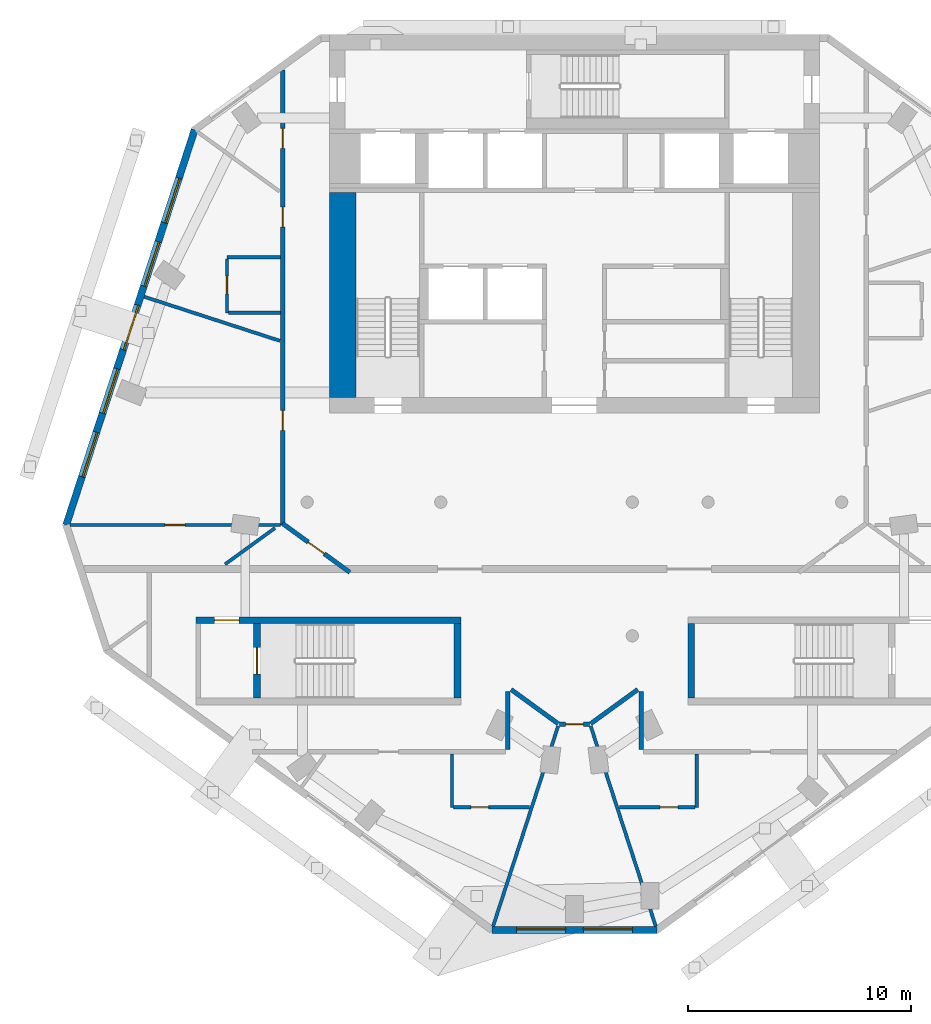
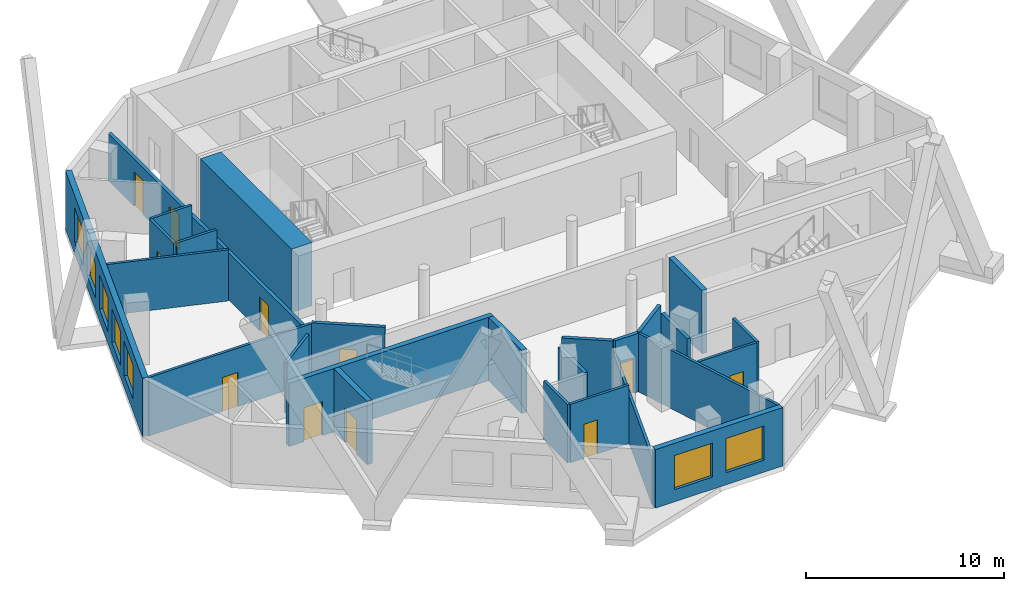
# One storey, part 3 of 8: 26 walls, 11 doors, 7 windows, 18 openings.
"""IFC4 building model written with IfcOpenShell, lengths in metres."""

from ifc_helpers import new_model, si_unit, direction, frame, frame_2d, origin, place, context, subcontext, project, spatial, rectangle, extrude, material, layer, layer_set, type_object, element, fill, save


model = new_model("IFC4")

# Units and contexts
model_context = context("Model", 3, precision=1e-05, world=origin(), true_north=direction((0.0, 1.0)))
body_context = subcontext(model_context, "Body", "Model", "MODEL_VIEW")
ifc_project = project(units=[si_unit("LENGTHUNIT", "METRE"), si_unit("AREAUNIT", "SQUARE_METRE"), si_unit("VOLUMEUNIT", "CUBIC_METRE"), si_unit("PLANEANGLEUNIT", "RADIAN"), si_unit("MASSUNIT", "GRAM", prefix="KILO")], contexts=[model_context])

# Site, building, storey
site_placement = place(None, origin())
site = spatial("IfcSite", under=ifc_project, at=site_placement, CompositionType="ELEMENT")
building_placement = place(site_placement, origin())
building = spatial("IfcBuilding", under=site, at=building_placement, Name="White Candle Pilgrim Tower", CompositionType="ELEMENT")
storey_placement = place(building_placement, frame((0.0, 0.0, 283.39990234375)))
storey = spatial("IfcBuildingStorey", under=building, at=storey_placement, Name="L67", CompositionType="ELEMENT", Elevation=283.39990234375)

# Wall, opening, door
ifc_material_1 = material(Name="Gypsum board on steel studs", Category="steel")
ifc_layer_1 = layer(ifc_material_1, 0.199951171875)
ifc_layer_set_1 = layer_set([ifc_layer_1], Name="Corridor wall 200 mm EI 45")
wall_type_1 = type_object("IfcWallType", Name="Corridor wall 200 mm EI 45", PredefinedType="PARTITIONING", material=ifc_layer_set_1)
wall_1_placement = place(storey_placement, frame((59.91552734375, 63.85009765625, 0.0), z_axis=(0.0, 0.0, 1.0), x_axis=(-0.809024883744, 0.587774393355, 0.0)))
wall_1 = element("IfcWall", 1, at=wall_1_placement, inside=storey, type_object=wall_type_1, Name="WL-L67-P003", PredefinedType="PARTITIONING", context=body_context, shape_type="SweptSolid", body=[
    extrude(rectangle(XDim=3.7275390625, YDim=0.199951171875, at=frame_2d((1.86376953125, 0.0))), origin(), (0.0, 0.0, 1.0), 3.60009765625),
])
opening_1_placement = place(wall_1_placement, frame((1.413818359375, 0.0, 0.0)))
opening_1 = element("IfcOpeningElement", 2, at=opening_1_placement, cuts=wall_1, Name="Opening T21-118", PredefinedType="OPENING", context=body_context, shape_type="SweptSolid", body=[
    extrude(rectangle(XDim=0.89990234375, YDim=2.10009765625, at=frame_2d((0.449951171875, 1.050048828125))), frame((0.0, 0.10986328125, 0.0), z_axis=(0.0, -1.0, 0.0), x_axis=(1.0, 0.0, 0.0)), (0.0, 0.0, 1.0), 0.219970703125),
])
ifc_material_2 = material(Name="Steel door leaf", Category="steel")
door_type_1 = type_object("IfcDoorType", Name="Fire door 900 x 2100 EI 30", OperationType="NOTDEFINED", PredefinedType="DOOR", material=ifc_material_2)
door_1_placement = place(opening_1_placement, origin())
door_1 = element("IfcDoor", 3, at=door_1_placement, inside=storey, type_object=door_type_1, Name="Door T21-118", OperationType="SINGLE_SWING_RIGHT", OverallHeight=2.10009765625, OverallWidth=0.89990234375, PredefinedType="DOOR", context=body_context, shape_type="SweptSolid", body=[
    extrude(rectangle(XDim=0.89990234375, YDim=2.10009765625, at=frame_2d((0.449951171875, 1.050048828125))), frame((0.0, 0.02490234375, 0.0), z_axis=(0.0, -1.0, 0.0), x_axis=(1.0, 0.0, 0.0)), (0.0, 0.0, 1.0), 0.050048828125),
])
fill(opening_1, door_1)

# Wall, openings, doors
wall_2_placement = place(storey_placement, frame((56.89990234375, 65.97998046875, 0.0), z_axis=(0.0, 0.0, 1.0), x_axis=(0.0, 1.0, 0.0)))
wall_2 = element("IfcWall", 4, at=wall_2_placement, inside=storey, type_object=wall_type_1, Name="WL-L67-P004", PredefinedType="PARTITIONING", context=body_context, shape_type="SweptSolid", body=[
    extrude(rectangle(XDim=20.416259765625, YDim=0.199951171875, at=frame_2d((10.2080078125, 0.0))), origin(), (0.0, 0.0, 1.0), 2.900146484375),
])
opening_2_placement = place(wall_2_placement, frame((4.241455078125, 0.0, 0.0)))
opening_2 = element("IfcOpeningElement", 5, at=opening_2_placement, cuts=wall_2, Name="Opening T21-110", PredefinedType="OPENING", context=body_context, shape_type="SweptSolid", body=[
    extrude(rectangle(XDim=0.89990234375, YDim=2.10009765625, at=frame_2d((0.449951171875, 1.050048828125))), frame((0.0, 0.10986328125, 0.0), z_axis=(0.0, -1.0, 0.0), x_axis=(1.0, 0.0, 0.0)), (0.0, 0.0, 1.0), 0.219970703125),
])
opening_3_placement = place(wall_2_placement, frame((13.373779296875, 0.0, 0.0)))
opening_3 = element("IfcOpeningElement", 6, at=opening_3_placement, cuts=wall_2, Name="Opening T21-111", PredefinedType="OPENING", context=body_context, shape_type="SweptSolid", body=[
    extrude(rectangle(XDim=0.89990234375, YDim=2.10009765625, at=frame_2d((0.449951171875, 1.050048828125))), frame((0.0, 0.10986328125, 0.0), z_axis=(0.0, -1.0, 0.0), x_axis=(1.0, 0.0, 0.0)), (0.0, 0.0, 1.0), 0.219970703125),
])
opening_4_placement = place(wall_2_placement, frame((16.90380859375, 0.0, 0.0)))
opening_4 = element("IfcOpeningElement", 7, at=opening_4_placement, cuts=wall_2, Name="Opening T21-112", PredefinedType="OPENING", context=body_context, shape_type="SweptSolid", body=[
    extrude(rectangle(XDim=0.89990234375, YDim=2.10009765625, at=frame_2d((0.449951171875, 1.050048828125))), frame((0.0, 0.10986328125, 0.0), z_axis=(0.0, -1.0, 0.0), x_axis=(1.0, 0.0, 0.0)), (0.0, 0.0, 1.0), 0.219970703125),
])
door_2_placement = place(opening_2_placement, origin())
door_2 = element("IfcDoor", 8, at=door_2_placement, inside=storey, type_object=door_type_1, Name="Door T21-110", OperationType="SINGLE_SWING_RIGHT", OverallHeight=2.10009765625, OverallWidth=0.89990234375, PredefinedType="DOOR", context=body_context, shape_type="SweptSolid", body=[
    extrude(rectangle(XDim=0.89990234375, YDim=2.10009765625, at=frame_2d((0.449951171875, 1.050048828125))), frame((0.0, 0.02490234375, 0.0), z_axis=(0.0, -1.0, 0.0), x_axis=(1.0, 0.0, 0.0)), (0.0, 0.0, 1.0), 0.050048828125),
])
fill(opening_2, door_2)
door_3_placement = place(opening_3_placement, origin())
door_3 = element("IfcDoor", 9, at=door_3_placement, inside=storey, type_object=door_type_1, Name="Door T21-111", OperationType="SINGLE_SWING_LEFT", OverallHeight=2.10009765625, OverallWidth=0.89990234375, PredefinedType="DOOR", context=body_context, shape_type="SweptSolid", body=[
    extrude(rectangle(XDim=0.89990234375, YDim=2.10009765625, at=frame_2d((0.449951171875, 1.050048828125))), frame((0.0, 0.02490234375, 0.0), z_axis=(0.0, -1.0, 0.0), x_axis=(1.0, 0.0, 0.0)), (0.0, 0.0, 1.0), 0.050048828125),
])
fill(opening_3, door_3)
door_4_placement = place(opening_4_placement, origin())
door_4 = element("IfcDoor", 10, at=door_4_placement, inside=storey, type_object=door_type_1, Name="Door T21-112", OperationType="SINGLE_SWING_RIGHT", OverallHeight=2.10009765625, OverallWidth=0.89990234375, PredefinedType="DOOR", context=body_context, shape_type="SweptSolid", body=[
    extrude(rectangle(XDim=0.89990234375, YDim=2.10009765625, at=frame_2d((0.449951171875, 1.050048828125))), frame((0.0, 0.02490234375, 0.0), z_axis=(0.0, -1.0, 0.0), x_axis=(1.0, 0.0, 0.0)), (0.0, 0.0, 1.0), 0.050048828125),
])
fill(opening_4, door_4)

# Walls
wall_3_placement = place(storey_placement, frame((73.0, 55.89990234375, 0.0), z_axis=(0.0, 0.0, 1.0), x_axis=(0.0, 1.0, 0.0)))
element("IfcWall", 11, at=wall_3_placement, inside=storey, type_object=wall_type_1, Name="WL-L67-P009", PredefinedType="PARTITIONING", context=body_context, shape_type="SweptSolid", body=[
    extrude(rectangle(XDim=2.606689453125, YDim=0.199951171875, at=frame_2d((1.30322265625, 0.0))), origin(), (0.0, 0.0, 1.0), 3.10009765625),
])
wall_4_placement = place(storey_placement, frame((72.84130859375, 58.58740234375, 0.0), z_axis=(0.0, 0.0, 1.0), x_axis=(-0.809063502696, -0.587721233754, 0.0)))
element("IfcWall", 12, at=wall_4_placement, inside=storey, type_object=wall_type_1, Name="WL-L67-P010", PredefinedType="PARTITIONING", context=body_context, shape_type="SweptSolid", body=[
    extrude(rectangle(XDim=2.61083984375, YDim=0.199951171875, at=frame_2d((1.305419921875, 0.0))), origin(), (0.0, 0.0, 1.0), 3.60009765625),
])

# Wall, opening, door
wall_5_placement = place(storey_placement, frame((70.67041015625, 57.033935546875, 0.0), z_axis=(0.0, 0.0, 1.0), x_axis=(-1.0, 0.0, 0.0)))
wall_5 = element("IfcWall", 13, at=wall_5_placement, inside=storey, type_object=wall_type_1, Name="WL-L67-P011", PredefinedType="PARTITIONING", context=body_context, shape_type="SweptSolid", body=[
    extrude(rectangle(XDim=1.3408203125, YDim=0.199951171875, at=frame_2d((0.67041015625, 0.0))), origin(), (0.0, 0.0, 1.0), 3.60009765625),
])
opening_5_placement = place(wall_5_placement, frame((0.270263671875, 0.0, 0.0)))
opening_5 = element("IfcOpeningElement", 14, at=opening_5_placement, cuts=wall_5, Name="Opening T21-104", PredefinedType="OPENING", context=body_context, shape_type="SweptSolid", body=[
    extrude(rectangle(XDim=0.800048828125, YDim=2.10009765625, at=frame_2d((0.39990234375, 1.050048828125))), frame((0.0, 0.10986328125, 0.0), z_axis=(0.0, -1.0, 0.0), x_axis=(1.0, 0.0, 0.0)), (0.0, 0.0, 1.0), 0.219970703125),
])
door_type_2 = type_object("IfcDoorType", Name="Fire door 800 x 2100 EI 30", OperationType="NOTDEFINED", PredefinedType="DOOR", material=ifc_material_2)
door_5_placement = place(opening_5_placement, origin())
door_5 = element("IfcDoor", 15, at=door_5_placement, inside=storey, type_object=door_type_2, Name="Door T21-104", OperationType="SINGLE_SWING_RIGHT", OverallHeight=2.10009765625, OverallWidth=0.800048828125, PredefinedType="DOOR", context=body_context, shape_type="SweptSolid", body=[
    extrude(rectangle(XDim=0.800048828125, YDim=2.10009765625, at=frame_2d((0.39990234375, 1.050048828125))), frame((0.0, 0.02490234375, 0.0), z_axis=(0.0, -1.0, 0.0), x_axis=(1.0, 0.0, 0.0)), (0.0, 0.0, 1.0), 0.050048828125),
])
fill(opening_5, door_5)

# Walls
wall_6_placement = place(storey_placement, frame((69.27099609375, 57.052978515625, 0.0), z_axis=(0.0, 0.0, 1.0), x_axis=(-0.809063502696, 0.587721233754, 0.0)))
element("IfcWall", 16, at=wall_6_placement, inside=storey, type_object=wall_type_1, Name="WL-L67-P012", PredefinedType="PARTITIONING", context=body_context, shape_type="SweptSolid", body=[
    extrude(rectangle(XDim=2.61083984375, YDim=0.199951171875, at=frame_2d((1.305419921875, 0.0))), origin(), (0.0, 0.0, 1.0), 3.60009765625),
])
wall_7_placement = place(storey_placement, frame((67.0, 58.506591796875, 0.0), z_axis=(0.0, 0.0, 1.0), x_axis=(0.0, -1.0, 0.0)))
element("IfcWall", 17, at=wall_7_placement, inside=storey, type_object=wall_type_1, Name="WL-L67-P013", PredefinedType="PARTITIONING", context=body_context, shape_type="SweptSolid", body=[
    extrude(rectangle(XDim=2.606689453125, YDim=0.199951171875, at=frame_2d((1.30322265625, 0.0))), origin(), (0.0, 0.0, 1.0), 3.10009765625),
])

# Wall, openings, windows
ifc_material_3 = material(Name="Precast concrete C40/50", Category="concrete")
ifc_layer_2 = layer(ifc_material_3, 0.320068359375)
ifc_layer_set_2 = layer_set([ifc_layer_2], Name="Facade wall EW1 precast concrete C40/50 pier wall with timber-lined reveals")
wall_type_2 = type_object("IfcWallType", Name="Facade wall EW1 precast concrete C40/50 pier wall with timber-lined reveals", PredefinedType="SOLIDWALL", material=ifc_layer_set_2)
wall_8_placement = place(storey_placement, frame((66.294921875, 47.7939453125, 0.0), z_axis=(0.0, 0.0, 1.0), x_axis=(1.0, 0.0, 0.0)))
wall_8 = element("IfcWall", 18, at=wall_8_placement, inside=storey, type_object=wall_type_2, Name="Facade wall L67 S chamfer", PredefinedType="SOLIDWALL", context=body_context, shape_type="SweptSolid", body=[
    extrude(rectangle(XDim=7.41015625, YDim=0.320068359375, at=frame_2d((3.705078125, 0.0))), origin(), (0.0, 0.0, 1.0), 3.60009765625),
])
opening_6_placement = place(wall_8_placement, frame((1.10498046875, 0.0, 0.75)))
opening_6 = element("IfcOpeningElement", 19, at=opening_6_placement, cuts=wall_8, Name="Opening W4", PredefinedType="OPENING", context=body_context, shape_type="SweptSolid", body=[
    extrude(rectangle(XDim=2.199951171875, YDim=2.10009765625, at=frame_2d((1.10009765625, 1.050048828125))), frame((0.0, 0.169921875, 0.0), z_axis=(0.0, -1.0, 0.0), x_axis=(1.0, 0.0, 0.0)), (0.0, 0.0, 1.0), 0.340087890625),
])
opening_7_placement = place(wall_8_placement, frame((4.10498046875, 0.0, 0.75)))
opening_7 = element("IfcOpeningElement", 20, at=opening_7_placement, cuts=wall_8, Name="Opening W4", PredefinedType="OPENING", context=body_context, shape_type="SweptSolid", body=[
    extrude(rectangle(XDim=2.199951171875, YDim=2.10009765625, at=frame_2d((1.10009765625, 1.050048828125))), frame((0.0, 0.169921875, 0.0), z_axis=(0.0, -1.0, 0.0), x_axis=(1.0, 0.0, 0.0)), (0.0, 0.0, 1.0), 0.340087890625),
])
ifc_material_4 = material(Name="Timber frame with triple glazing", Category="wood")
window_type_1 = type_object("IfcWindowType", Name="Window W4 2200x2100 timber frame triple glazing", PartitioningType="SINGLE_PANEL", PredefinedType="WINDOW", material=ifc_material_4)
window_1_placement = place(opening_6_placement, origin())
window_1 = element("IfcWindow", 21, at=window_1_placement, inside=storey, type_object=window_type_1, Name="Window W4 L67 S chamfer 1", OverallHeight=2.10009765625, OverallWidth=2.199951171875, PartitioningType="SINGLE_PANEL", PredefinedType="WINDOW", context=body_context, shape_type="SweptSolid", body=[
    extrude(rectangle(XDim=2.199951171875, YDim=2.10009765625, at=frame_2d((1.10009765625, 1.050048828125))), frame((0.0, 0.070068359375, 0.0), z_axis=(0.0, -1.0, 0.0), x_axis=(1.0, 0.0, 0.0)), (0.0, 0.0, 1.0), 0.06005859375),
])
fill(opening_6, window_1)
window_2_placement = place(opening_7_placement, origin())
window_2 = element("IfcWindow", 22, at=window_2_placement, inside=storey, type_object=window_type_1, Name="Window W4 L67 S chamfer 2", OverallHeight=2.10009765625, OverallWidth=2.199951171875, PartitioningType="SINGLE_PANEL", PredefinedType="WINDOW", context=body_context, shape_type="SweptSolid", body=[
    extrude(rectangle(XDim=2.199951171875, YDim=2.10009765625, at=frame_2d((1.10009765625, 1.050048828125))), frame((0.0, 0.070068359375, 0.0), z_axis=(0.0, -1.0, 0.0), x_axis=(1.0, 0.0, 0.0)), (0.0, 0.0, 1.0), 0.06005859375),
])
fill(opening_7, window_2)

wall_9_placement = place(storey_placement, frame((52.94677734375, 83.7216796875, 0.0), z_axis=(0.0, 0.0, 1.0), x_axis=(-0.3090200992, -0.951055507471, 0.0)))
wall_9 = element("IfcWall", 23, at=wall_9_placement, inside=storey, type_object=wall_type_2, Name="Facade wall L67 WNW", PredefinedType="SOLIDWALL", context=body_context, shape_type="SweptSolid", body=[
    extrude(rectangle(XDim=18.66015625, YDim=0.320068359375, at=frame_2d((9.330078125, 0.0))), origin(), (0.0, 0.0, 1.0), 3.60009765625),
])
opening_8_placement = place(wall_9_placement, frame((2.280029296875, 0.0, 0.75)))
opening_8 = element("IfcOpeningElement", 24, at=opening_8_placement, cuts=wall_9, Name="Opening W3", PredefinedType="OPENING", context=body_context, shape_type="SweptSolid", body=[
    extrude(rectangle(XDim=2.10009765625, YDim=2.10009765625, at=frame_2d((1.050048828125, 1.050048828125))), frame((0.0, 0.169921875, 0.0), z_axis=(0.0, -1.0, 0.0), x_axis=(1.0, 0.0, 0.0)), (0.0, 0.0, 1.0), 0.340087890625),
])
opening_9_placement = place(wall_9_placement, frame((5.280029296875, 0.0, 0.75)))
opening_9 = element("IfcOpeningElement", 25, at=opening_9_placement, cuts=wall_9, Name="Opening W3", PredefinedType="OPENING", context=body_context, shape_type="SweptSolid", body=[
    extrude(rectangle(XDim=2.10009765625, YDim=2.10009765625, at=frame_2d((1.050048828125, 1.050048828125))), frame((0.0, 0.169921875, 0.0), z_axis=(0.0, -1.0, 0.0), x_axis=(1.0, 0.0, 0.0)), (0.0, 0.0, 1.0), 0.340087890625),
])
opening_10_placement = place(wall_9_placement, frame((8.280029296875, 0.0, 0.75)))
opening_10 = element("IfcOpeningElement", 26, at=opening_10_placement, cuts=wall_9, Name="Opening W3", PredefinedType="OPENING", context=body_context, shape_type="SweptSolid", body=[
    extrude(rectangle(XDim=2.10009765625, YDim=2.10009765625, at=frame_2d((1.050048828125, 1.050048828125))), frame((0.0, 0.169921875, 0.0), z_axis=(0.0, -1.0, 0.0), x_axis=(1.0, 0.0, 0.0)), (0.0, 0.0, 1.0), 0.340087890625),
])
opening_11_placement = place(wall_9_placement, frame((11.280029296875, 0.0, 0.75)))
opening_11 = element("IfcOpeningElement", 27, at=opening_11_placement, cuts=wall_9, Name="Opening W3", PredefinedType="OPENING", context=body_context, shape_type="SweptSolid", body=[
    extrude(rectangle(XDim=2.10009765625, YDim=2.10009765625, at=frame_2d((1.050048828125, 1.050048828125))), frame((0.0, 0.169921875, 0.0), z_axis=(0.0, -1.0, 0.0), x_axis=(1.0, 0.0, 0.0)), (0.0, 0.0, 1.0), 0.340087890625),
])
opening_12_placement = place(wall_9_placement, frame((14.280029296875, 0.0, 0.75)))
opening_12 = element("IfcOpeningElement", 28, at=opening_12_placement, cuts=wall_9, Name="Opening W3", PredefinedType="OPENING", context=body_context, shape_type="SweptSolid", body=[
    extrude(rectangle(XDim=2.10009765625, YDim=2.10009765625, at=frame_2d((1.050048828125, 1.050048828125))), frame((0.0, 0.169921875, 0.0), z_axis=(0.0, -1.0, 0.0), x_axis=(1.0, 0.0, 0.0)), (0.0, 0.0, 1.0), 0.340087890625),
])
window_type_2 = type_object("IfcWindowType", Name="Window W3 2100x2100 timber frame triple glazing", PartitioningType="SINGLE_PANEL", PredefinedType="WINDOW", material=ifc_material_4)
window_3_placement = place(opening_8_placement, origin())
window_3 = element("IfcWindow", 29, at=window_3_placement, inside=storey, type_object=window_type_2, Name="Window W3 L67 WNW 1", OverallHeight=2.10009765625, OverallWidth=2.10009765625, PartitioningType="SINGLE_PANEL", PredefinedType="WINDOW", context=body_context, shape_type="SweptSolid", body=[
    extrude(rectangle(XDim=2.10009765625, YDim=2.10009765625, at=frame_2d((1.050048828125, 1.050048828125))), frame((0.0, 0.070068359375, 0.0), z_axis=(0.0, -1.0, 0.0), x_axis=(1.0, 0.0, 0.0)), (0.0, 0.0, 1.0), 0.06005859375),
])
fill(opening_8, window_3)
window_4_placement = place(opening_9_placement, origin())
window_4 = element("IfcWindow", 30, at=window_4_placement, inside=storey, type_object=window_type_2, Name="Window W3 L67 WNW 2", OverallHeight=2.10009765625, OverallWidth=2.10009765625, PartitioningType="SINGLE_PANEL", PredefinedType="WINDOW", context=body_context, shape_type="SweptSolid", body=[
    extrude(rectangle(XDim=2.10009765625, YDim=2.10009765625, at=frame_2d((1.050048828125, 1.050048828125))), frame((0.0, 0.070068359375, 0.0), z_axis=(0.0, -1.0, 0.0), x_axis=(1.0, 0.0, 0.0)), (0.0, 0.0, 1.0), 0.06005859375),
])
fill(opening_9, window_4)
window_5_placement = place(opening_10_placement, origin())
window_5 = element("IfcWindow", 31, at=window_5_placement, inside=storey, type_object=window_type_2, Name="Window W3 L67 WNW 3", OverallHeight=2.10009765625, OverallWidth=2.10009765625, PartitioningType="SINGLE_PANEL", PredefinedType="WINDOW", context=body_context, shape_type="SweptSolid", body=[
    extrude(rectangle(XDim=2.10009765625, YDim=2.10009765625, at=frame_2d((1.050048828125, 1.050048828125))), frame((0.0, 0.070068359375, 0.0), z_axis=(0.0, -1.0, 0.0), x_axis=(1.0, 0.0, 0.0)), (0.0, 0.0, 1.0), 0.06005859375),
])
fill(opening_10, window_5)
window_6_placement = place(opening_11_placement, origin())
window_6 = element("IfcWindow", 32, at=window_6_placement, inside=storey, type_object=window_type_2, Name="Window W3 L67 WNW 4", OverallHeight=2.10009765625, OverallWidth=2.10009765625, PartitioningType="SINGLE_PANEL", PredefinedType="WINDOW", context=body_context, shape_type="SweptSolid", body=[
    extrude(rectangle(XDim=2.10009765625, YDim=2.10009765625, at=frame_2d((1.050048828125, 1.050048828125))), frame((0.0, 0.070068359375, 0.0), z_axis=(0.0, -1.0, 0.0), x_axis=(1.0, 0.0, 0.0)), (0.0, 0.0, 1.0), 0.06005859375),
])
fill(opening_11, window_6)
window_7_placement = place(opening_12_placement, origin())
window_7 = element("IfcWindow", 33, at=window_7_placement, inside=storey, type_object=window_type_2, Name="Window W3 L67 WNW 5", OverallHeight=2.10009765625, OverallWidth=2.10009765625, PartitioningType="SINGLE_PANEL", PredefinedType="WINDOW", context=body_context, shape_type="SweptSolid", body=[
    extrude(rectangle(XDim=2.10009765625, YDim=2.10009765625, at=frame_2d((1.050048828125, 1.050048828125))), frame((0.0, 0.070068359375, 0.0), z_axis=(0.0, -1.0, 0.0), x_axis=(1.0, 0.0, 0.0)), (0.0, 0.0, 1.0), 0.06005859375),
])
fill(opening_12, window_7)

# Wall, opening, door
ifc_layer_3 = layer(ifc_material_1, 0.14990234375)
ifc_layer_set_3 = layer_set([ifc_layer_3], Name="Partition 150 mm EI 60")
wall_type_3 = type_object("IfcWallType", Name="Partition 150 mm EI 60", PredefinedType="PARTITIONING", material=ifc_layer_set_3)
wall_10_placement = place(storey_placement, frame((47.3486328125, 65.974853515625, 0.0), z_axis=(0.0, 0.0, 1.0), x_axis=(1.0, 0.0, 0.0)))
wall_10 = element("IfcWall", 34, at=wall_10_placement, inside=storey, type_object=wall_type_3, Name="WL-L67-P016", PredefinedType="PARTITIONING", context=body_context, shape_type="SweptSolid", body=[
    extrude(rectangle(XDim=9.451416015625, YDim=0.14990234375, at=frame_2d((4.7255859375, 0.0))), origin(), (0.0, 0.0, 1.0), 3.60009765625),
])
opening_13_placement = place(wall_10_placement, frame((4.267822265625, 0.0, 0.0)))
opening_13 = element("IfcOpeningElement", 35, at=opening_13_placement, cuts=wall_10, Name="Opening T21-120", PredefinedType="OPENING", context=body_context, shape_type="SweptSolid", body=[
    extrude(rectangle(XDim=0.89990234375, YDim=2.10009765625, at=frame_2d((0.449951171875, 1.050048828125))), frame((0.0, 0.0849609375, 0.0), z_axis=(0.0, -1.0, 0.0), x_axis=(1.0, 0.0, 0.0)), (0.0, 0.0, 1.0), 0.169921875),
])
door_6_placement = place(opening_13_placement, frame((0.89990234375, 0.0, 0.0), z_axis=(0.0, 0.0, 1.0), x_axis=(-1.0, 0.0, 0.0)))
door_6 = element("IfcDoor", 36, at=door_6_placement, inside=storey, type_object=door_type_1, Name="Door T21-120", OperationType="SINGLE_SWING_LEFT", OverallHeight=2.10009765625, OverallWidth=0.89990234375, PredefinedType="DOOR", context=body_context, shape_type="SweptSolid", body=[
    extrude(rectangle(XDim=0.89990234375, YDim=2.10009765625, at=frame_2d((0.449951171875, 1.050048828125))), frame((0.0, 0.02490234375, 0.0), z_axis=(0.0, -1.0, 0.0), x_axis=(1.0, 0.0, 0.0)), (0.0, 0.0, 1.0), 0.050048828125),
])
fill(opening_13, door_6)

# Walls
wall_11_placement = place(storey_placement, frame((54.313720703125, 64.210693359375, 0.0), z_axis=(0.0, 0.0, 1.0), x_axis=(0.809002762913, 0.58780483972, 0.0)))
element("IfcWall", 37, at=wall_11_placement, inside=storey, type_object=wall_type_3, Name="WL-L67-P018", PredefinedType="PARTITIONING", context=body_context, shape_type="SweptSolid", body=[
    extrude(rectangle(XDim=2.770263671875, YDim=0.14990234375, at=frame_2d((1.38525390625, 0.0))), origin(), (0.0, 0.0, 1.0), 3.10009765625),
])
wall_12_placement = place(storey_placement, frame((66.346923828125, 47.953857421875, 0.0), z_axis=(0.0, 0.0, 1.0), x_axis=(0.309027729723, 0.951053028102, 0.0)))
element("IfcWall", 38, at=wall_12_placement, inside=storey, type_object=wall_type_3, Name="WL-L67-P019", PredefinedType="PARTITIONING", context=body_context, shape_type="SweptSolid", body=[
    extrude(rectangle(XDim=9.462158203125, YDim=0.14990234375, at=frame_2d((4.73095703125, 0.0))), origin(), (0.0, 0.0, 1.0), 2.900146484375),
])
wall_13_placement = place(storey_placement, frame((73.653076171875, 47.953857421875, 0.0), z_axis=(0.0, 0.0, 1.0), x_axis=(-0.309027729723, 0.951053028102, 0.0)))
element("IfcWall", 39, at=wall_13_placement, inside=storey, type_object=wall_type_3, Name="WL-L67-P020", PredefinedType="PARTITIONING", context=body_context, shape_type="SweptSolid", body=[
    extrude(rectangle(XDim=9.462158203125, YDim=0.14990234375, at=frame_2d((4.73095703125, 0.0))), origin(), (0.0, 0.0, 1.0), 3.60009765625),
])
wall_14_placement = place(storey_placement, frame((50.67919921875, 76.225341796875, 0.0), z_axis=(0.0, 0.0, 1.0), x_axis=(0.951058691075, -0.309010301012, 0.0)))
element("IfcWall", 40, at=wall_14_placement, inside=storey, type_object=wall_type_3, Name="WL-L67-P025", PredefinedType="PARTITIONING", context=body_context, shape_type="SweptSolid", body=[
    extrude(rectangle(XDim=6.411376953125, YDim=0.14990234375, at=frame_2d((3.20556640625, 0.0))), origin(), (0.0, 0.0, 1.0), 3.150146484375),
])
wall_15_placement = place(storey_placement, frame((56.800048828125, 78.004150390625, 0.0), z_axis=(0.0, 0.0, 1.0), x_axis=(-1.0, 0.0, 0.0)))
element("IfcWall", 41, at=wall_15_placement, inside=storey, type_object=wall_type_3, Name="WL-L67-P026", PredefinedType="PARTITIONING", context=body_context, shape_type="SweptSolid", body=[
    extrude(rectangle(XDim=2.400146484375, YDim=0.14990234375, at=frame_2d((1.2001953125, 0.0))), origin(), (0.0, 0.0, 1.0), 3.60009765625),
])

# Wall, opening, door
wall_16_placement = place(storey_placement, frame((54.39990234375, 75.504150390625, 0.0), z_axis=(0.0, 0.0, 1.0), x_axis=(0.0, 1.0, 0.0)))
wall_16 = element("IfcWall", 42, at=wall_16_placement, inside=storey, type_object=wall_type_3, Name="WL-L67-P027", PredefinedType="PARTITIONING", context=body_context, shape_type="SweptSolid", body=[
    extrude(rectangle(XDim=2.425048828125, YDim=0.14990234375, at=frame_2d((1.21240234375, 0.0))), origin(), (0.0, 0.0, 1.0), 3.60009765625),
])
opening_14_placement = place(wall_16_placement, frame((0.85009765625, 0.0, 0.0)))
opening_14 = element("IfcOpeningElement", 43, at=opening_14_placement, cuts=wall_16, Name="Opening T21-101", PredefinedType="OPENING", context=body_context, shape_type="SweptSolid", body=[
    extrude(rectangle(XDim=0.800048828125, YDim=2.10009765625, at=frame_2d((0.39990234375, 1.050048828125))), frame((0.0, 0.0849609375, 0.0), z_axis=(0.0, -1.0, 0.0), x_axis=(1.0, 0.0, 0.0)), (0.0, 0.0, 1.0), 0.169921875),
])
door_7_placement = place(opening_14_placement, origin())
door_7 = element("IfcDoor", 44, at=door_7_placement, inside=storey, type_object=door_type_2, Name="Door T21-101", OperationType="SINGLE_SWING_LEFT", OverallHeight=2.10009765625, OverallWidth=0.800048828125, PredefinedType="DOOR", context=body_context, shape_type="SweptSolid", body=[
    extrude(rectangle(XDim=0.800048828125, YDim=2.10009765625, at=frame_2d((0.39990234375, 1.050048828125))), frame((0.0, 0.02490234375, 0.0), z_axis=(0.0, -1.0, 0.0), x_axis=(1.0, 0.0, 0.0)), (0.0, 0.0, 1.0), 0.050048828125),
])
fill(opening_14, door_7)

# Walls
wall_17_placement = place(storey_placement, frame((56.800048828125, 75.504150390625, 0.0), z_axis=(0.0, 0.0, 1.0), x_axis=(-1.0, 0.0, 0.0)))
element("IfcWall", 45, at=wall_17_placement, inside=storey, type_object=wall_type_3, Name="WL-L67-P028", PredefinedType="PARTITIONING", context=body_context, shape_type="SweptSolid", body=[
    extrude(rectangle(XDim=2.324951171875, YDim=0.14990234375, at=frame_2d((1.16259765625, 0.0))), origin(), (0.0, 0.0, 1.0), 3.60009765625),
])
wall_18_placement = place(storey_placement, frame((64.5, 55.699951171875, 0.0), z_axis=(0.0, 0.0, 1.0), x_axis=(0.0, -1.0, 0.0)))
element("IfcWall", 46, at=wall_18_placement, inside=storey, type_object=wall_type_3, Name="WL-L67-P030", PredefinedType="PARTITIONING", context=body_context, shape_type="SweptSolid", body=[
    extrude(rectangle(XDim=2.39990234375, YDim=0.14990234375, at=frame_2d((1.199951171875, 0.0))), origin(), (0.0, 0.0, 1.0), 3.60009765625),
])

# Wall, opening, door
wall_19_placement = place(storey_placement, frame((67.980712890625, 53.300048828125, 0.0), z_axis=(0.0, 0.0, 1.0), x_axis=(-1.0, 0.0, 0.0)))
wall_19 = element("IfcWall", 47, at=wall_19_placement, inside=storey, type_object=wall_type_3, Name="WL-L67-P031", PredefinedType="PARTITIONING", context=body_context, shape_type="SweptSolid", body=[
    extrude(rectangle(XDim=3.40576171875, YDim=0.14990234375, at=frame_2d((1.702880859375, 0.0))), origin(), (0.0, 0.0, 1.0), 3.60009765625),
])
opening_15_placement = place(wall_19_placement, frame((1.830810546875, 0.0, 0.0)))
opening_15 = element("IfcOpeningElement", 48, at=opening_15_placement, cuts=wall_19, Name="Opening T21-102", PredefinedType="OPENING", context=body_context, shape_type="SweptSolid", body=[
    extrude(rectangle(XDim=0.800048828125, YDim=2.10009765625, at=frame_2d((0.39990234375, 1.050048828125))), frame((0.0, 0.0849609375, 0.0), z_axis=(0.0, -1.0, 0.0), x_axis=(1.0, 0.0, 0.0)), (0.0, 0.0, 1.0), 0.169921875),
])
door_8_placement = place(opening_15_placement, origin())
door_8 = element("IfcDoor", 49, at=door_8_placement, inside=storey, type_object=door_type_2, Name="Door T21-102", OperationType="SINGLE_SWING_RIGHT", OverallHeight=2.10009765625, OverallWidth=0.800048828125, PredefinedType="DOOR", context=body_context, shape_type="SweptSolid", body=[
    extrude(rectangle(XDim=0.800048828125, YDim=2.10009765625, at=frame_2d((0.39990234375, 1.050048828125))), frame((0.0, 0.02490234375, 0.0), z_axis=(0.0, -1.0, 0.0), x_axis=(1.0, 0.0, 0.0)), (0.0, 0.0, 1.0), 0.050048828125),
])
fill(opening_15, door_8)

# Wall
wall_20_placement = place(storey_placement, frame((75.5, 55.699951171875, 0.0), z_axis=(0.0, 0.0, 1.0), x_axis=(0.0, -1.0, 0.0)))
element("IfcWall", 50, at=wall_20_placement, inside=storey, type_object=wall_type_3, Name="WL-L67-P033", PredefinedType="PARTITIONING", context=body_context, shape_type="SweptSolid", body=[
    extrude(rectangle(XDim=2.39990234375, YDim=0.14990234375, at=frame_2d((1.199951171875, 0.0))), origin(), (0.0, 0.0, 1.0), 3.60009765625),
])

# Wall, opening, door
wall_21_placement = place(storey_placement, frame((72.019287109375, 53.300048828125, 0.0), z_axis=(0.0, 0.0, 1.0), x_axis=(1.0, 0.0, 0.0)))
wall_21 = element("IfcWall", 51, at=wall_21_placement, inside=storey, type_object=wall_type_3, Name="WL-L67-P034", PredefinedType="PARTITIONING", context=body_context, shape_type="SweptSolid", body=[
    extrude(rectangle(XDim=3.40576171875, YDim=0.14990234375, at=frame_2d((1.702880859375, 0.0))), origin(), (0.0, 0.0, 1.0), 3.60009765625),
])
opening_16_placement = place(wall_21_placement, frame((1.830810546875, 0.0, 0.0)))
opening_16 = element("IfcOpeningElement", 52, at=opening_16_placement, cuts=wall_21, Name="Opening T21-105", PredefinedType="OPENING", context=body_context, shape_type="SweptSolid", body=[
    extrude(rectangle(XDim=0.800048828125, YDim=2.10009765625, at=frame_2d((0.39990234375, 1.050048828125))), frame((0.0, 0.0849609375, 0.0), z_axis=(0.0, -1.0, 0.0), x_axis=(1.0, 0.0, 0.0)), (0.0, 0.0, 1.0), 0.169921875),
])
door_9_placement = place(opening_16_placement, frame((0.800048828125, 0.0, 0.0), z_axis=(0.0, 0.0, 1.0), x_axis=(-1.0, 0.0, 0.0)))
door_9 = element("IfcDoor", 53, at=door_9_placement, inside=storey, type_object=door_type_2, Name="Door T21-105", OperationType="SINGLE_SWING_RIGHT", OverallHeight=2.10009765625, OverallWidth=0.800048828125, PredefinedType="DOOR", context=body_context, shape_type="SweptSolid", body=[
    extrude(rectangle(XDim=0.800048828125, YDim=2.10009765625, at=frame_2d((0.39990234375, 1.050048828125))), frame((0.0, 0.02490234375, 0.0), z_axis=(0.0, -1.0, 0.0), x_axis=(1.0, 0.0, 0.0)), (0.0, 0.0, 1.0), 0.050048828125),
])
fill(opening_16, door_9)

# Wall
ifc_material_5 = material(Name="Concrete C50/60", Category="concrete")
ifc_layer_4 = layer(ifc_material_5, 1.199951171875)
ifc_layer_set_4 = layer_set([ifc_layer_4], Name="Stair shaft wall 1200 mm Concrete C50/60")
wall_type_4 = type_object("IfcWallType", Name="Stair shaft wall 1200 mm Concrete C50/60", PredefinedType="SHEAR", material=ifc_layer_set_4)
wall_22_placement = place(storey_placement, frame((59.60009765625, 71.699951171875, 0.0), z_axis=(0.0, 0.0, 1.0), x_axis=(0.0, 1.0, 0.0)))
element("IfcWall", 54, at=wall_22_placement, inside=storey, type_object=wall_type_4, Name="WL-L67-C12", PredefinedType="SHEAR", context=body_context, shape_type="SweptSolid", body=[
    extrude(rectangle(XDim=9.199951171875, YDim=1.199951171875, at=frame_2d((4.60009765625, 0.0))), origin(), (0.0, 0.0, 1.0), 3.900146484375),
])

# Wall, opening, door
ifc_layer_5 = layer(ifc_material_5, 0.300048828125)
ifc_layer_set_5 = layer_set([ifc_layer_5], Name="Stair shaft wall 300 mm Concrete C50/60")
wall_type_5 = type_object("IfcWallType", Name="Stair shaft wall 300 mm Concrete C50/60", PredefinedType="SHEAR", material=ifc_layer_set_5)
wall_23_placement = place(storey_placement, frame((55.75, 58.199951171875, 0.0), z_axis=(0.0, 0.0, 1.0), x_axis=(0.0, 1.0, 0.0)))
wall_23 = element("IfcWall", 55, at=wall_23_placement, inside=storey, type_object=wall_type_5, Name="WL-L67-C04", PredefinedType="SHEAR", context=body_context, shape_type="SweptSolid", body=[
    extrude(rectangle(XDim=3.35009765625, YDim=0.300048828125, at=frame_2d((1.675048828125, 0.0))), origin(), (0.0, 0.0, 1.0), 3.900146484375),
])
opening_17_placement = place(wall_23_placement, frame((1.074951171875, 0.0, 0.0)))
opening_17 = element("IfcOpeningElement", 56, at=opening_17_placement, cuts=wall_23, Name="Opening T21-011", PredefinedType="OPENING", context=body_context, shape_type="SweptSolid", body=[
    extrude(rectangle(XDim=1.199951171875, YDim=2.10009765625, at=frame_2d((0.60009765625, 1.050048828125))), frame((0.0, 0.159912109375, 0.0), z_axis=(0.0, -1.0, 0.0), x_axis=(1.0, 0.0, 0.0)), (0.0, 0.0, 1.0), 0.320068359375),
])
door_type_3 = type_object("IfcDoorType", Name="Fire door 1200 x 2100 EI 60", OperationType="NOTDEFINED", PredefinedType="DOOR", material=ifc_material_2)
door_10_placement = place(opening_17_placement, frame((1.199951171875, 0.0, 0.0), z_axis=(0.0, 0.0, 1.0), x_axis=(-1.0, 0.0, 0.0)))
door_10 = element("IfcDoor", 57, at=door_10_placement, inside=storey, type_object=door_type_3, Name="Door T21-011", OperationType="SINGLE_SWING_RIGHT", OverallHeight=2.10009765625, OverallWidth=1.199951171875, PredefinedType="DOOR", context=body_context, shape_type="SweptSolid", body=[
    extrude(rectangle(XDim=1.199951171875, YDim=2.10009765625, at=frame_2d((0.60009765625, 1.050048828125))), frame((0.0, 0.02490234375, 0.0), z_axis=(0.0, -1.0, 0.0), x_axis=(1.0, 0.0, 0.0)), (0.0, 0.0, 1.0), 0.050048828125),
])
fill(opening_17, door_10)

# Walls
for number, where, z_axis, x_axis, name in (
    (58, (64.75, 58.199951171875, 0.0), (0.0, 0.0, 1.0), (0.0, 1.0, 0.0), "WL-L67-C05"),
    (59, (75.25, 58.199951171875, 0.0), (0.0, 0.0, 1.0), (0.0, 1.0, 0.0), "WL-L67-C06"),
):
    element("IfcWall", number, at=place(storey_placement, frame(where, z_axis=z_axis, x_axis=x_axis)), inside=storey, type_object=wall_type_5, Name=name, PredefinedType="SHEAR", context=body_context, shape_type="SweptSolid", body=[
        extrude(rectangle(XDim=3.35009765625, YDim=0.300048828125, at=frame_2d((1.675048828125, 0.0))), origin(), (0.0, 0.0, 1.0), 3.900146484375),
    ])

# Wall, opening, door
wall_24_placement = place(storey_placement, frame((53.0, 61.699951171875, 0.0), z_axis=(0.0, 0.0, 1.0), x_axis=(1.0, 0.0, 0.0)))
wall_24 = element("IfcWall", 60, at=wall_24_placement, inside=storey, type_object=wall_type_5, Name="WL-L67-C09", PredefinedType="SHEAR", context=body_context, shape_type="SweptSolid", body=[
    extrude(rectangle(XDim=11.89990234375, YDim=0.300048828125, at=frame_2d((5.949951171875, 0.0))), origin(), (0.0, 0.0, 1.0), 3.900146484375),
])
opening_18_placement = place(wall_24_placement, frame((0.85009765625, 0.0, 0.0)))
opening_18 = element("IfcOpeningElement", 61, at=opening_18_placement, cuts=wall_24, Name="Opening T21-010", PredefinedType="OPENING", context=body_context, shape_type="SweptSolid", body=[
    extrude(rectangle(XDim=1.10009765625, YDim=2.10009765625, at=frame_2d((0.550048828125, 1.050048828125))), frame((0.0, 0.159912109375, 0.0), z_axis=(0.0, -1.0, 0.0), x_axis=(1.0, 0.0, 0.0)), (0.0, 0.0, 1.0), 0.320068359375),
])
door_type_4 = type_object("IfcDoorType", Name="Fire door 1100 x 2100 EI 60", OperationType="NOTDEFINED", PredefinedType="DOOR", material=ifc_material_2)
door_11_placement = place(opening_18_placement, frame((1.10009765625, 0.0, 0.0), z_axis=(0.0, 0.0, 1.0), x_axis=(-1.0, 0.0, 0.0)))
door_11 = element("IfcDoor", 62, at=door_11_placement, inside=storey, type_object=door_type_4, Name="Door T21-010", OperationType="SINGLE_SWING_LEFT", OverallHeight=2.10009765625, OverallWidth=1.10009765625, PredefinedType="DOOR", context=body_context, shape_type="SweptSolid", body=[
    extrude(rectangle(XDim=1.10009765625, YDim=2.10009765625, at=frame_2d((0.550048828125, 1.050048828125))), frame((0.0, 0.02490234375, 0.0), z_axis=(0.0, -1.0, 0.0), x_axis=(1.0, 0.0, 0.0)), (0.0, 0.0, 1.0), 0.050048828125),
])
fill(opening_18, door_11)

save(model, "model.ifc")
